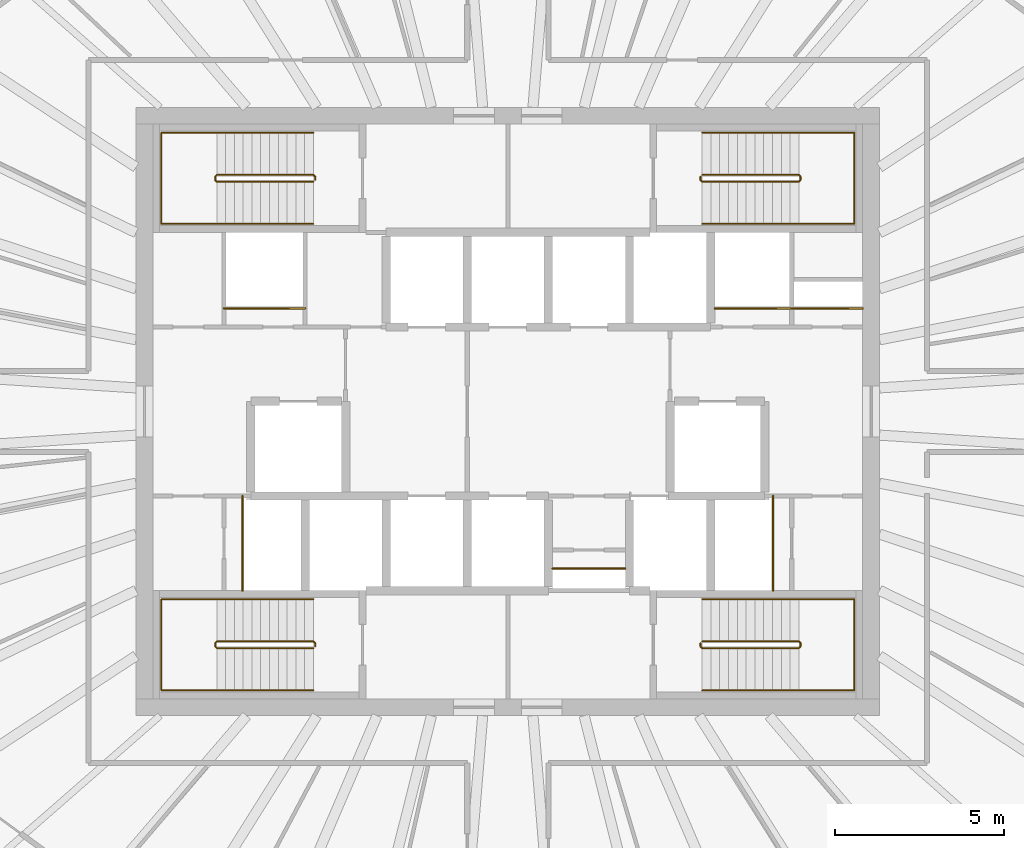
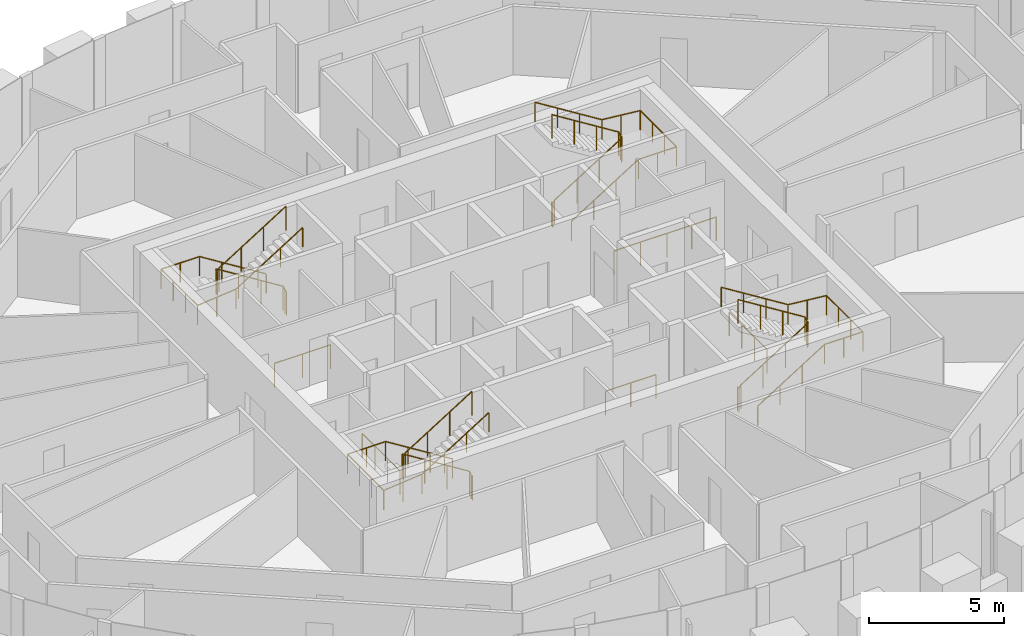
# One storey, part 12 of 12: 14 railings.
"""IFC4 building model written with IfcOpenShell, lengths in metres."""

from ifc_helpers import new_model, si_unit, direction, frame, origin, origin_2d, place, context, subcontext, project, spatial, circle, extrude, source, transform, mapped, material, type_object, element, save


model = new_model("IFC4")

# Units and contexts
model_context = context("Model", 3, precision=1e-05, world=origin(), true_north=direction((0.0, 1.0)))
body_context = subcontext(model_context, "Body", "Model", "MODEL_VIEW")
ifc_project = project(units=[si_unit("LENGTHUNIT", "METRE"), si_unit("AREAUNIT", "SQUARE_METRE"), si_unit("VOLUMEUNIT", "CUBIC_METRE"), si_unit("PLANEANGLEUNIT", "RADIAN"), si_unit("MASSUNIT", "GRAM", prefix="KILO")], contexts=[model_context])

# Site, building, storey
site_placement = place(None, origin())
site = spatial("IfcSite", under=ifc_project, at=site_placement, CompositionType="ELEMENT")
building_placement = place(site_placement, origin())
building = spatial("IfcBuilding", under=site, at=building_placement, Name="Embergate Tower", CompositionType="ELEMENT")
storey_placement = place(building_placement, frame((0.0, 0.0, 320.800048828125)))
storey = spatial("IfcBuildingStorey", under=building, at=storey_placement, Name="L75", CompositionType="ELEMENT", Elevation=320.800048828125)

# Railings
ifc_material_1 = material(Name="Stair guard 1100")
railing_type_1 = type_object("IfcRailingType", Name="Stair guard 1100", PredefinedType="GUARDRAIL", material=ifc_material_1)
shared_shape_1 = source(origin(), body_context, "Body", "SweptSolid", [
    extrude(circle(Radius=0.02392578125, at=origin_2d()), frame((0.0, 0.0, 1.076171875), z_axis=(0.0, 1.0, 0.0), x_axis=(-1.0, 0.0, 0.0)), (0.0, 0.0, 1.0), 0.099853515625),
    extrude(circle(Radius=0.02392578125, at=origin_2d()), frame((0.0, 0.099853515625, 1.076171875), z_axis=(-0.282583949758, 0.282583949758, 0.916674763849), x_axis=(-0.707106781187, -0.707106781187, 0.0)), (0.0, 0.0, 1.0), 0.177001953125),
    extrude(circle(Radius=0.02392578125, at=origin_2d()), frame((-0.050048828125, 0.14990234375, 1.23828125), z_axis=(-0.847994237388, 0.0, 0.530005446535), x_axis=(0.0, -1.0, 0.0)), (0.0, 0.0, 1.0), 3.372802734375),
    extrude(circle(Radius=0.02392578125, at=origin_2d()), frame((-2.91015625, 0.14990234375, 3.02587890625), z_axis=(-0.705375805398, -0.708833529934, 0.0), x_axis=(0.708833529934, -0.705375805398, 0.0)), (0.0, 0.0, 1.0), 0.070556640625),
    extrude(circle(Radius=0.02392578125, at=origin_2d()), frame((-2.9599609375, 0.099853515625, 3.02587890625), z_axis=(0.0, -1.0, 0.0), x_axis=(1.0, 0.0, 0.0)), (0.0, 0.0, 1.0), 0.099853515625),
    extrude(circle(Radius=0.02392578125, at=origin_2d()), frame((-2.9599609375, 0.0, 3.02587890625), z_axis=(0.280959487676, -0.282336740067, 0.917250092119), x_axis=(0.708833529934, 0.705375805398, 0.0)), (0.0, 0.0, 1.0), 0.17724609375),
    extrude(circle(Radius=0.02392578125, at=origin_2d()), frame((-2.91015625, -0.050048828125, 3.1884765625), z_axis=(0.848026770018, 0.0, 0.529953391661), x_axis=(0.0, 1.0, 0.0)), (0.0, 0.0, 1.0), 3.37255859375),
    extrude(circle(Radius=0.02099609375, at=origin_2d()), origin(), (0.0, 0.0, 1.0), 1.052001953125),
    extrude(circle(Radius=0.02099609375, at=origin_2d()), frame((0.0, 0.099853515625, 0.0)), (0.0, 0.0, 1.0), 1.052001953125),
    extrude(circle(Radius=0.02099609375, at=origin_2d()), frame((-0.050048828125, 0.14990234375, 0.162353515625)), (0.0, 0.0, 1.0), 1.052001953125),
    extrude(circle(Radius=0.02099609375, at=origin_2d()), frame((-1.00341796875, 0.14990234375, 0.75830078125)), (0.0, 0.0, 1.0), 1.052001953125),
    extrude(circle(Radius=0.02099609375, at=origin_2d()), frame((-1.956787109375, 0.14990234375, 1.35400390625)), (0.0, 0.0, 1.0), 1.052001953125),
    extrude(circle(Radius=0.02099609375, at=origin_2d()), frame((-2.91015625, 0.14990234375, 1.949951171875)), (0.0, 0.0, 1.0), 1.052001953125),
    extrude(circle(Radius=0.02099609375, at=origin_2d()), frame((-2.9599609375, 0.099853515625, 1.949951171875)), (0.0, 0.0, 1.0), 1.052001953125),
    extrude(circle(Radius=0.02099609375, at=origin_2d()), frame((-2.9599609375, 0.0, 1.949951171875)), (0.0, 0.0, 1.0), 1.052001953125),
    extrude(circle(Radius=0.02099609375, at=origin_2d()), frame((-2.91015625, -0.050048828125, 2.112548828125)), (0.0, 0.0, 1.0), 1.052001953125),
    extrude(circle(Radius=0.02099609375, at=origin_2d()), frame((-1.956787109375, -0.050048828125, 2.708251953125)), (0.0, 0.0, 1.0), 1.052001953125),
    extrude(circle(Radius=0.02099609375, at=origin_2d()), frame((-1.00341796875, -0.050048828125, 3.30419921875)), (0.0, 0.0, 1.0), 1.052001953125),
    extrude(circle(Radius=0.02099609375, at=origin_2d()), frame((-0.050048828125, -0.050048828125, 3.89990234375)), (0.0, 0.0, 1.0), 1.052001953125),
])
for number, where, name in (
    (1, (-5.699951171875, 6.85009765625, 0.0), "L75 ST1 stair guard 1"),
    (2, (-5.699951171875, -6.949951171875, 0.0), "L75 ST3 stair guard 1"),
):
    element("IfcRailing", number, at=place(storey_placement, frame(where)), inside=storey, type_object=railing_type_1, Name=name, PredefinedType="GUARDRAIL", context=body_context, shape_type="MappedRepresentation", body=[
        mapped(shared_shape_1, transform((0.0, 0.0, 0.0))),
    ])
ifc_material_2 = material(Name="Stair handrail 900")
railing_type_2 = type_object("IfcRailingType", Name="Stair handrail 900", PredefinedType="HANDRAIL", material=ifc_material_2)
shared_shape_2 = source(origin(), body_context, "Body", "SweptSolid", [
    extrude(circle(Radius=0.02392578125, at=origin_2d()), frame((0.0, 0.0, 0.8759765625), z_axis=(-0.847994237388, 0.0, 0.530005446535), x_axis=(0.0, -1.0, 0.0)), (0.0, 0.0, 1.0), 3.372802734375),
    extrude(circle(Radius=0.02392578125, at=origin_2d()), frame((-2.860107421875, 0.0, 2.66357421875), z_axis=(-1.0, 0.0, 0.0), x_axis=(0.0, -1.0, 0.0)), (0.0, 0.0, 1.0), 1.639892578125),
    extrude(circle(Radius=0.02392578125, at=origin_2d()), frame((-4.5, 0.0, 2.66357421875), z_axis=(0.0, -1.0, 0.0), x_axis=(1.0, 0.0, 0.0)), (0.0, 0.0, 1.0), 2.699951171875),
    extrude(circle(Radius=0.02392578125, at=origin_2d()), frame((-4.5, -2.699951171875, 2.66357421875), z_axis=(0.995120448088, 0.0, 0.098667592441), x_axis=(0.0, 1.0, 0.0)), (0.0, 0.0, 1.0), 1.64794921875),
    extrude(circle(Radius=0.02392578125, at=origin_2d()), frame((-2.860107421875, -2.699951171875, 2.826171875), z_axis=(0.848026770018, 0.0, 0.529953391661), x_axis=(0.0, 1.0, 0.0)), (0.0, 0.0, 1.0), 3.37255859375),
    extrude(circle(Radius=0.02099609375, at=origin_2d()), origin(), (0.0, 0.0, 1.0), 0.851806640625),
    extrude(circle(Radius=0.02099609375, at=origin_2d()), frame((-0.953369140625, 0.0, 0.595947265625)), (0.0, 0.0, 1.0), 0.851806640625),
    extrude(circle(Radius=0.02099609375, at=origin_2d()), frame((-1.90673828125, 0.0, 1.191650390625)), (0.0, 0.0, 1.0), 0.851806640625),
    extrude(circle(Radius=0.02099609375, at=origin_2d()), frame((-2.860107421875, 0.0, 1.78759765625)), (0.0, 0.0, 1.0), 0.851806640625),
    extrude(circle(Radius=0.02099609375, at=origin_2d()), frame((-3.68017578125, 0.0, 1.78759765625)), (0.0, 0.0, 1.0), 0.851806640625),
    extrude(circle(Radius=0.02099609375, at=origin_2d()), frame((-4.5, 0.0, 1.78759765625)), (0.0, 0.0, 1.0), 0.851806640625),
    extrude(circle(Radius=0.02099609375, at=origin_2d()), frame((-4.5, -0.89990234375, 1.78759765625)), (0.0, 0.0, 1.0), 0.851806640625),
    extrude(circle(Radius=0.02099609375, at=origin_2d()), frame((-4.5, -1.800048828125, 1.78759765625)), (0.0, 0.0, 1.0), 0.851806640625),
    extrude(circle(Radius=0.02099609375, at=origin_2d()), frame((-4.5, -2.699951171875, 1.78759765625)), (0.0, 0.0, 1.0), 0.851806640625),
    extrude(circle(Radius=0.02099609375, at=origin_2d()), frame((-3.68017578125, -2.699951171875, 1.868896484375)), (0.0, 0.0, 1.0), 0.851806640625),
    extrude(circle(Radius=0.02099609375, at=origin_2d()), frame((-2.860107421875, -2.699951171875, 1.9501953125)), (0.0, 0.0, 1.0), 0.851806640625),
    extrude(circle(Radius=0.02099609375, at=origin_2d()), frame((-1.90673828125, -2.699951171875, 2.5458984375)), (0.0, 0.0, 1.0), 0.851806640625),
    extrude(circle(Radius=0.02099609375, at=origin_2d()), frame((-0.953369140625, -2.699951171875, 3.141845703125)), (0.0, 0.0, 1.0), 0.851806640625),
    extrude(circle(Radius=0.02099609375, at=origin_2d()), frame((0.0, -2.699951171875, 3.737548828125)), (0.0, 0.0, 1.0), 0.851806640625),
])
for number, where, name in (
    (3, (-5.75, 8.25, 0.162353515625), "L75 ST1 stair handrail 1"),
    (4, (-5.75, -5.550048828125, 0.162353515625), "L75 ST3 stair handrail 1"),
):
    element("IfcRailing", number, at=place(storey_placement, frame(where)), inside=storey, type_object=railing_type_2, Name=name, PredefinedType="HANDRAIL", context=body_context, shape_type="MappedRepresentation", body=[
        mapped(shared_shape_2, transform((0.0, 0.0, 0.0))),
    ])
shared_shape_3 = source(origin(), body_context, "Body", "SweptSolid", [
    extrude(circle(Radius=0.02392578125, at=origin_2d()), frame((0.0, 0.0, 1.076171875), z_axis=(0.0, -1.0, 0.0), x_axis=(1.0, 0.0, 0.0)), (0.0, 0.0, 1.0), 0.099853515625),
    extrude(circle(Radius=0.02392578125, at=origin_2d()), frame((0.0, -0.099853515625, 1.076171875), z_axis=(0.282583949758, -0.282583949758, 0.916674763849), x_axis=(0.707106781187, 0.707106781187, 0.0)), (0.0, 0.0, 1.0), 0.177001953125),
    extrude(circle(Radius=0.02392578125, at=origin_2d()), frame((0.050048828125, -0.14990234375, 1.23828125), z_axis=(0.847994237388, 0.0, 0.530005446535), x_axis=(0.0, 1.0, 0.0)), (0.0, 0.0, 1.0), 3.372802734375),
    extrude(circle(Radius=0.02392578125, at=origin_2d()), frame((2.91015625, -0.14990234375, 3.02587890625), z_axis=(0.705375805398, 0.708833529934, 0.0), x_axis=(-0.708833529934, 0.705375805398, 0.0)), (0.0, 0.0, 1.0), 0.070556640625),
    extrude(circle(Radius=0.02392578125, at=origin_2d()), frame((2.9599609375, -0.099853515625, 3.02587890625), z_axis=(0.0, 1.0, 0.0), x_axis=(-1.0, 0.0, 0.0)), (0.0, 0.0, 1.0), 0.099853515625),
    extrude(circle(Radius=0.02392578125, at=origin_2d()), frame((2.9599609375, 0.0, 3.02587890625), z_axis=(-0.280959487676, 0.282336740067, 0.917250092119), x_axis=(-0.708833529934, -0.705375805398, 0.0)), (0.0, 0.0, 1.0), 0.17724609375),
    extrude(circle(Radius=0.02392578125, at=origin_2d()), frame((2.91015625, 0.050048828125, 3.1884765625), z_axis=(-0.848026770018, 0.0, 0.529953391661), x_axis=(0.0, -1.0, 0.0)), (0.0, 0.0, 1.0), 3.37255859375),
    extrude(circle(Radius=0.02099609375, at=origin_2d()), origin(), (0.0, 0.0, 1.0), 1.052001953125),
    extrude(circle(Radius=0.02099609375, at=origin_2d()), frame((0.0, -0.099853515625, 0.0)), (0.0, 0.0, 1.0), 1.052001953125),
    extrude(circle(Radius=0.02099609375, at=origin_2d()), frame((0.050048828125, -0.14990234375, 0.162353515625)), (0.0, 0.0, 1.0), 1.052001953125),
    extrude(circle(Radius=0.02099609375, at=origin_2d()), frame((1.00341796875, -0.14990234375, 0.75830078125)), (0.0, 0.0, 1.0), 1.052001953125),
    extrude(circle(Radius=0.02099609375, at=origin_2d()), frame((1.956787109375, -0.14990234375, 1.35400390625)), (0.0, 0.0, 1.0), 1.052001953125),
    extrude(circle(Radius=0.02099609375, at=origin_2d()), frame((2.91015625, -0.14990234375, 1.949951171875)), (0.0, 0.0, 1.0), 1.052001953125),
    extrude(circle(Radius=0.02099609375, at=origin_2d()), frame((2.9599609375, -0.099853515625, 1.949951171875)), (0.0, 0.0, 1.0), 1.052001953125),
    extrude(circle(Radius=0.02099609375, at=origin_2d()), frame((2.9599609375, 0.0, 1.949951171875)), (0.0, 0.0, 1.0), 1.052001953125),
    extrude(circle(Radius=0.02099609375, at=origin_2d()), frame((2.91015625, 0.050048828125, 2.112548828125)), (0.0, 0.0, 1.0), 1.052001953125),
    extrude(circle(Radius=0.02099609375, at=origin_2d()), frame((1.956787109375, 0.050048828125, 2.708251953125)), (0.0, 0.0, 1.0), 1.052001953125),
    extrude(circle(Radius=0.02099609375, at=origin_2d()), frame((1.00341796875, 0.050048828125, 3.30419921875)), (0.0, 0.0, 1.0), 1.052001953125),
    extrude(circle(Radius=0.02099609375, at=origin_2d()), frame((0.050048828125, 0.050048828125, 3.89990234375)), (0.0, 0.0, 1.0), 1.052001953125),
])
for number, where, name in (
    (5, (5.699951171875, 6.949951171875, 0.0), "L75 ST2 stair guard 1"),
    (6, (5.699951171875, -6.85009765625, 0.0), "L75 ST4 stair guard 1"),
):
    element("IfcRailing", number, at=place(storey_placement, frame(where)), inside=storey, type_object=railing_type_1, Name=name, PredefinedType="GUARDRAIL", context=body_context, shape_type="MappedRepresentation", body=[
        mapped(shared_shape_3, transform((0.0, 0.0, 0.0))),
    ])
shared_shape_4 = source(origin(), body_context, "Body", "SweptSolid", [
    extrude(circle(Radius=0.02392578125, at=origin_2d()), frame((0.0, 0.0, 0.8759765625), z_axis=(0.847994237388, 0.0, 0.530005446535), x_axis=(0.0, 1.0, 0.0)), (0.0, 0.0, 1.0), 3.372802734375),
    extrude(circle(Radius=0.02392578125, at=origin_2d()), frame((2.860107421875, 0.0, 2.66357421875), z_axis=(1.0, 0.0, 0.0), x_axis=(0.0, 1.0, 0.0)), (0.0, 0.0, 1.0), 1.639892578125),
    extrude(circle(Radius=0.02392578125, at=origin_2d()), frame((4.5, 0.0, 2.66357421875), z_axis=(0.0, 1.0, 0.0), x_axis=(-1.0, 0.0, 0.0)), (0.0, 0.0, 1.0), 2.699951171875),
    extrude(circle(Radius=0.02392578125, at=origin_2d()), frame((4.5, 2.699951171875, 2.66357421875), z_axis=(-0.995120448088, 0.0, 0.098667592441), x_axis=(0.0, -1.0, 0.0)), (0.0, 0.0, 1.0), 1.64794921875),
    extrude(circle(Radius=0.02392578125, at=origin_2d()), frame((2.860107421875, 2.699951171875, 2.826171875), z_axis=(-0.848026770018, 0.0, 0.529953391661), x_axis=(0.0, -1.0, 0.0)), (0.0, 0.0, 1.0), 3.37255859375),
    extrude(circle(Radius=0.02099609375, at=origin_2d()), origin(), (0.0, 0.0, 1.0), 0.851806640625),
    extrude(circle(Radius=0.02099609375, at=origin_2d()), frame((0.953369140625, 0.0, 0.595947265625)), (0.0, 0.0, 1.0), 0.851806640625),
    extrude(circle(Radius=0.02099609375, at=origin_2d()), frame((1.90673828125, 0.0, 1.191650390625)), (0.0, 0.0, 1.0), 0.851806640625),
    extrude(circle(Radius=0.02099609375, at=origin_2d()), frame((2.860107421875, 0.0, 1.78759765625)), (0.0, 0.0, 1.0), 0.851806640625),
    extrude(circle(Radius=0.02099609375, at=origin_2d()), frame((3.68017578125, 0.0, 1.78759765625)), (0.0, 0.0, 1.0), 0.851806640625),
    extrude(circle(Radius=0.02099609375, at=origin_2d()), frame((4.5, 0.0, 1.78759765625)), (0.0, 0.0, 1.0), 0.851806640625),
    extrude(circle(Radius=0.02099609375, at=origin_2d()), frame((4.5, 0.89990234375, 1.78759765625)), (0.0, 0.0, 1.0), 0.851806640625),
    extrude(circle(Radius=0.02099609375, at=origin_2d()), frame((4.5, 1.800048828125, 1.78759765625)), (0.0, 0.0, 1.0), 0.851806640625),
    extrude(circle(Radius=0.02099609375, at=origin_2d()), frame((4.5, 2.699951171875, 1.78759765625)), (0.0, 0.0, 1.0), 0.851806640625),
    extrude(circle(Radius=0.02099609375, at=origin_2d()), frame((3.68017578125, 2.699951171875, 1.868896484375)), (0.0, 0.0, 1.0), 0.851806640625),
    extrude(circle(Radius=0.02099609375, at=origin_2d()), frame((2.860107421875, 2.699951171875, 1.9501953125)), (0.0, 0.0, 1.0), 0.851806640625),
    extrude(circle(Radius=0.02099609375, at=origin_2d()), frame((1.90673828125, 2.699951171875, 2.5458984375)), (0.0, 0.0, 1.0), 0.851806640625),
    extrude(circle(Radius=0.02099609375, at=origin_2d()), frame((0.953369140625, 2.699951171875, 3.141845703125)), (0.0, 0.0, 1.0), 0.851806640625),
    extrude(circle(Radius=0.02099609375, at=origin_2d()), frame((0.0, 2.699951171875, 3.737548828125)), (0.0, 0.0, 1.0), 0.851806640625),
])
for number, where, name in (
    (7, (5.75, 5.550048828125, 0.162353515625), "L75 ST2 stair handrail 1"),
    (8, (5.75, -8.25, 0.162353515625), "L75 ST4 stair handrail 1"),
):
    element("IfcRailing", number, at=place(storey_placement, frame(where)), inside=storey, type_object=railing_type_2, Name=name, PredefinedType="HANDRAIL", context=body_context, shape_type="MappedRepresentation", body=[
        mapped(shared_shape_4, transform((0.0, 0.0, 0.0))),
    ])
ifc_material_3 = material(Name="Opening guard 1100")
railing_type_3 = type_object("IfcRailingType", Name="Opening guard 1100", PredefinedType="GUARDRAIL", material=ifc_material_3)
shared_shape_5 = source(origin(), body_context, "Body", "SweptSolid", [
    extrude(circle(Radius=0.02392578125, at=origin_2d()), frame((0.0, 0.0, 1.076171875), z_axis=(1.0, 0.0, 0.0), x_axis=(0.0, 1.0, 0.0)), (0.0, 0.0, 1.0), 2.27490234375),
    extrude(circle(Radius=0.02099609375, at=origin_2d()), origin(), (0.0, 0.0, 1.0), 1.052001953125),
    extrude(circle(Radius=0.02099609375, at=origin_2d()), frame((1.137451171875, 0.0, 0.0)), (0.0, 0.0, 1.0), 1.052001953125),
    extrude(circle(Radius=0.02099609375, at=origin_2d()), frame((2.27490234375, 0.0, 0.0)), (0.0, 0.0, 1.0), 1.052001953125),
])
railing_1_placement = place(storey_placement, frame((6.125, 3.050048828125, 0.0)))
element("IfcRailing", 9, at=railing_1_placement, inside=storey, type_object=railing_type_3, Name="Riser opening guard", PredefinedType="GUARDRAIL", context=body_context, shape_type="MappedRepresentation", body=[
    mapped(shared_shape_5, transform((0.0, 0.0, 0.0))),
])
shared_shape_6 = source(origin(), body_context, "Body", "SweptSolid", [
    extrude(circle(Radius=0.02392578125, at=origin_2d()), frame((0.0, 0.0, 1.076171875), z_axis=(0.0, 1.0, 0.0), x_axis=(-1.0, 0.0, 0.0)), (0.0, 0.0, 1.0), 2.800048828125),
    extrude(circle(Radius=0.02099609375, at=origin_2d()), origin(), (0.0, 0.0, 1.0), 1.052001953125),
    extrude(circle(Radius=0.02099609375, at=origin_2d()), frame((0.0, 0.933349609375, 0.0)), (0.0, 0.0, 1.0), 1.052001953125),
    extrude(circle(Radius=0.02099609375, at=origin_2d()), frame((0.0, 1.86669921875, 0.0)), (0.0, 0.0, 1.0), 1.052001953125),
    extrude(circle(Radius=0.02099609375, at=origin_2d()), frame((0.0, 2.800048828125, 0.0)), (0.0, 0.0, 1.0), 1.052001953125),
])
for number, where, name in (
    (10, (-7.85009765625, -5.300048828125, 0.0), "Riser opening guard"),
    (11, (7.85009765625, -5.300048828125, 0.0), "Riser opening guard"),
):
    element("IfcRailing", number, at=place(storey_placement, frame(where)), inside=storey, type_object=railing_type_3, Name=name, PredefinedType="GUARDRAIL", context=body_context, shape_type="MappedRepresentation", body=[
        mapped(shared_shape_6, transform((0.0, 0.0, 0.0))),
    ])
shared_shape_7 = source(origin(), body_context, "Body", "SweptSolid", [
    extrude(circle(Radius=0.02392578125, at=origin_2d()), frame((0.0, 0.0, 1.076171875), z_axis=(1.0, 0.0, 0.0), x_axis=(0.0, 1.0, 0.0)), (0.0, 0.0, 1.0), 2.39990234375),
    extrude(circle(Radius=0.02099609375, at=origin_2d()), origin(), (0.0, 0.0, 1.0), 1.052001953125),
    extrude(circle(Radius=0.02099609375, at=origin_2d()), frame((1.199951171875, 0.0, 0.0)), (0.0, 0.0, 1.0), 1.052001953125),
    extrude(circle(Radius=0.02099609375, at=origin_2d()), frame((2.39990234375, 0.0, 0.0)), (0.0, 0.0, 1.0), 1.052001953125),
])
railing_2_placement = place(storey_placement, frame((-8.39990234375, 3.050048828125, 0.0)))
element("IfcRailing", 12, at=railing_2_placement, inside=storey, type_object=railing_type_3, Name="Riser opening guard", PredefinedType="GUARDRAIL", context=body_context, shape_type="MappedRepresentation", body=[
    mapped(shared_shape_7, transform((0.0, 0.0, 0.0))),
])
shared_shape_8 = source(origin(), body_context, "Body", "SweptSolid", [
    extrude(circle(Radius=0.02392578125, at=origin_2d()), frame((0.0, 0.0, 1.076171875), z_axis=(1.0, 0.0, 0.0), x_axis=(0.0, 1.0, 0.0)), (0.0, 0.0, 1.0), 2.10009765625),
    extrude(circle(Radius=0.02099609375, at=origin_2d()), origin(), (0.0, 0.0, 1.0), 1.052001953125),
    extrude(circle(Radius=0.02099609375, at=origin_2d()), frame((1.050048828125, 0.0, 0.0)), (0.0, 0.0, 1.0), 1.052001953125),
    extrude(circle(Radius=0.02099609375, at=origin_2d()), frame((2.10009765625, 0.0, 0.0)), (0.0, 0.0, 1.0), 1.052001953125),
])
railing_3_placement = place(storey_placement, frame((8.39990234375, 3.050048828125, 0.0)))
element("IfcRailing", 13, at=railing_3_placement, inside=storey, type_object=railing_type_3, Name="Riser opening guard", PredefinedType="GUARDRAIL", context=body_context, shape_type="MappedRepresentation", body=[
    mapped(shared_shape_8, transform((0.0, 0.0, 0.0))),
])
shared_shape_9 = source(origin(), body_context, "Body", "SweptSolid", [
    extrude(circle(Radius=0.02392578125, at=origin_2d()), frame((0.0, 0.0, 1.076171875), z_axis=(1.0, 0.0, 0.0), x_axis=(0.0, 1.0, 0.0)), (0.0, 0.0, 1.0), 2.150146484375),
    extrude(circle(Radius=0.02099609375, at=origin_2d()), origin(), (0.0, 0.0, 1.0), 1.052001953125),
    extrude(circle(Radius=0.02099609375, at=origin_2d()), frame((1.0751953125, 0.0, 0.0)), (0.0, 0.0, 1.0), 1.052001953125),
    extrude(circle(Radius=0.02099609375, at=origin_2d()), frame((2.150146484375, 0.0, 0.0)), (0.0, 0.0, 1.0), 1.052001953125),
])
railing_4_placement = place(storey_placement, frame((1.324951171875, -4.64599609375, 0.0)))
element("IfcRailing", 14, at=railing_4_placement, inside=storey, type_object=railing_type_3, Name="Riser opening guard", PredefinedType="GUARDRAIL", context=body_context, shape_type="MappedRepresentation", body=[
    mapped(shared_shape_9, transform((0.0, 0.0, 0.0))),
])

save(model, "model.ifc")
